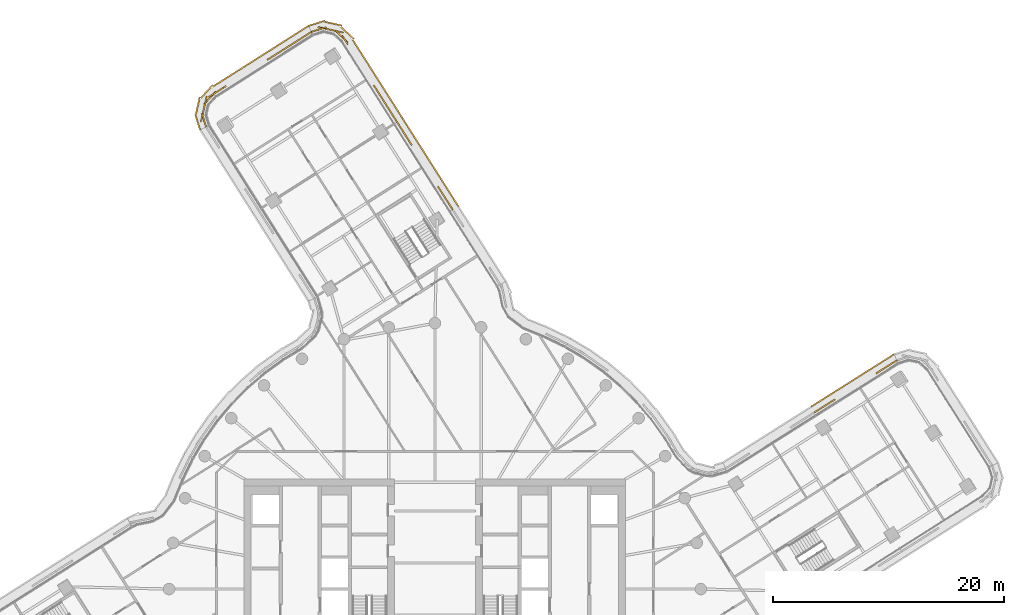
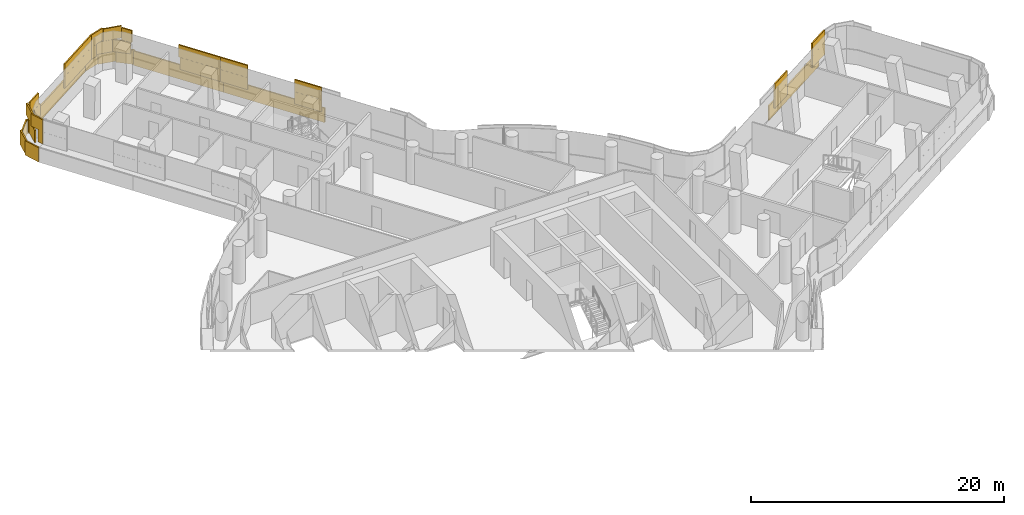
# One storey, part 36 of 36: 4 coverings.
"""IFC4 building model written with IfcOpenShell, lengths in metres."""

from ifc_helpers import new_model, si_unit, direction, frame, origin, origin_2d, place, context, subcontext, project, spatial, rectangle, extrude, material, layer, layer_set, type_object, element, save


model = new_model("IFC4")

# Units and contexts
model_context = context("Model", 3, precision=1e-05, world=origin(), true_north=direction((0.0, 1.0)))
body_context = subcontext(model_context, "Body", "Model", "MODEL_VIEW")
ifc_project = project(units=[si_unit("LENGTHUNIT", "METRE"), si_unit("AREAUNIT", "SQUARE_METRE"), si_unit("VOLUMEUNIT", "CUBIC_METRE"), si_unit("PLANEANGLEUNIT", "RADIAN"), si_unit("MASSUNIT", "GRAM", prefix="KILO")], contexts=[model_context])

# Site, building, storey
site_placement = place(None, origin())
site = spatial("IfcSite", under=ifc_project, at=site_placement, CompositionType="ELEMENT")
building_placement = place(site_placement, origin())
building = spatial("IfcBuilding", under=site, at=building_placement, Name="Tamarind Cross Interchange Tower", CompositionType="ELEMENT")
storey_placement = place(building_placement, frame((0.0, 0.0, 151.75)))
storey = spatial("IfcBuildingStorey", under=building, at=storey_placement, Name="L37", CompositionType="ELEMENT", Elevation=151.75)

# Coverings
ifc_material = material(Name="Terracotta", Category="masonry")
ifc_layer = layer(ifc_material, 0.1201171875)
ifc_layer_set = layer_set([ifc_layer], Name="Terracotta")
covering_type = type_object("IfcCoveringType", Name="Terracotta baguette screen unit", PredefinedType="MOLDING", material=ifc_layer_set)
covering_1_placement = place(storey_placement, origin())
element("IfcCovering", 1, at=covering_1_placement, inside=storey, type_object=covering_type, Name="SCR-L37-00-00", PredefinedType="MOLDING", context=body_context, shape_type="SweptSolid", body=[
    extrude(rectangle(XDim=0.760009765625, YDim=0.1201171875, at=origin_2d()), frame((-11.00244140625, 48.0009765625, 1.404052734375), z_axis=(0.0, 0.0, 1.0), x_axis=(-0.844432651118, -0.535661738157, 0.0)), (0.0, 0.0, 1.0), 1.1669921875),
    extrude(rectangle(XDim=1.52001953125, YDim=0.1201171875, at=origin_2d()), frame((-11.952392578125, 47.3984375, 1.404052734375), z_axis=(0.0, 0.0, 1.0), x_axis=(-0.844432651118, -0.535661738157, 0.0)), (0.0, 0.0, 1.0), 1.1669921875),
    extrude(rectangle(XDim=1.52001953125, YDim=0.1201171875, at=origin_2d()), frame((-13.21923828125, 46.594970703125, 1.404052734375), z_axis=(0.0, 0.0, 1.0), x_axis=(-0.844432651118, -0.535661738157, 0.0)), (0.0, 0.0, 1.0), 1.1669921875),
    extrude(rectangle(XDim=0.784912109375, YDim=0.1201171875, at=origin_2d()), frame((-14.1796875, 45.985595703125, 1.404052734375), z_axis=(0.0, 0.0, 1.0), x_axis=(-0.844432651118, -0.535661738157, 0.0)), (0.0, 0.0, 1.0), 1.1669921875),
    extrude(rectangle(XDim=1.03515625, YDim=0.1201171875, at=origin_2d()), frame((-18.486328125, 43.253662109375, 1.404052734375), z_axis=(0.0, 0.0, 1.0), x_axis=(-0.844432651118, -0.535661738157, 0.0)), (0.0, 0.0, 1.0), 1.1669921875),
    extrude(rectangle(XDim=1.52001953125, YDim=0.1201171875, at=origin_2d()), frame((-19.47265625, 42.48193359375, 1.404052734375), z_axis=(0.0, 0.0, 1.0), x_axis=(-0.677019846709, -0.735964759457, 0.0)), (0.0, 0.0, 1.0), 1.1669921875),
    extrude(rectangle(XDim=1.52001953125, YDim=0.1201171875, at=origin_2d()), frame((-20.072998046875, 41.160888671875, 1.404052734375), z_axis=(0.0, 0.0, 1.0), x_axis=(-0.218334006388, -0.975874101334, 0.0)), (0.0, 0.0, 1.0), 1.1669921875),
    extrude(rectangle(XDim=0.509521484375, YDim=0.1201171875, at=origin_2d()), frame((-19.866455078125, 40.202880859375, 1.404052734375), z_axis=(0.0, 0.0, 1.0), x_axis=(0.298854254625, -0.954298765844, 0.0)), (0.0, 0.0, 1.0), 1.1669921875),
    extrude(rectangle(XDim=1.510009765625, YDim=0.1201171875, at=origin_2d()), frame((-11.319091796875, 47.800048828125, 2.5791015625), z_axis=(0.0, 0.0, 1.0), x_axis=(-0.844432651118, -0.535661738157, 0.0)), (0.0, 0.0, 1.0), 1.1669921875),
    extrude(rectangle(XDim=1.52001953125, YDim=0.1201171875, at=origin_2d()), frame((-12.5859375, 46.99658203125, 2.5791015625), z_axis=(0.0, 0.0, 1.0), x_axis=(-0.844432651118, -0.535661738157, 0.0)), (0.0, 0.0, 1.0), 1.1669921875),
    extrude(rectangle(XDim=1.52001953125, YDim=0.1201171875, at=origin_2d()), frame((-13.8525390625, 46.193115234375, 2.5791015625), z_axis=(0.0, 0.0, 1.0), x_axis=(-0.844432651118, -0.535661738157, 0.0)), (0.0, 0.0, 1.0), 1.1669921875),
    extrude(rectangle(XDim=1.52001953125, YDim=0.1201171875, at=origin_2d()), frame((-18.919189453125, 42.979248046875, 2.5791015625), z_axis=(0.0, 0.0, 1.0), x_axis=(-0.844432651118, -0.535661738157, 0.0)), (0.0, 0.0, 1.0), 1.1669921875),
    extrude(rectangle(XDim=1.52001953125, YDim=0.1201171875, at=origin_2d()), frame((-19.909423828125, 41.892822265625, 2.5791015625), z_axis=(0.0, 0.0, 1.0), x_axis=(-0.218334006388, -0.975874101334, 0.0)), (0.0, 0.0, 1.0), 1.1669921875),
    extrude(rectangle(XDim=1.259521484375, YDim=0.1201171875, at=origin_2d()), frame((-19.978515625, 40.560791015625, 2.5791015625), z_axis=(0.0, 0.0, 1.0), x_axis=(0.298854254625, -0.954298765844, 0.0)), (0.0, 0.0, 1.0), 1.1669921875),
    extrude(rectangle(XDim=0.760009765625, YDim=0.1201171875, at=origin_2d()), frame((-11.25048828125, 48.5234375, 0.00390625), z_axis=(0.0, 0.0, 1.0), x_axis=(-0.844432651118, -0.535661738157, 0.0)), (0.0, 0.0, 1.0), 1.39208984375),
    extrude(rectangle(XDim=1.52001953125, YDim=0.1201171875, at=origin_2d()), frame((-12.1962890625, 47.923583984375, 0.00390625), z_axis=(0.0, 0.0, 1.0), x_axis=(-0.844432651118, -0.535661738157, 0.0)), (0.0, 0.0, 1.0), 1.39208984375),
    extrude(rectangle(XDim=1.52001953125, YDim=0.1201171875, at=origin_2d()), frame((-13.462890625, 47.1201171875, 0.00390625), z_axis=(0.0, 0.0, 1.0), x_axis=(-0.844432651118, -0.535661738157, 0.0)), (0.0, 0.0, 1.0), 1.39208984375),
    extrude(rectangle(XDim=1.52001953125, YDim=0.1201171875, at=origin_2d()), frame((-14.7294921875, 46.316650390625, 0.00390625), z_axis=(0.0, 0.0, 1.0), x_axis=(-0.844432651118, -0.535661738157, 0.0)), (0.0, 0.0, 1.0), 1.39208984375),
    extrude(rectangle(XDim=1.52001953125, YDim=0.1201171875, at=origin_2d()), frame((-15.99609375, 45.51318359375, 0.00390625), z_axis=(0.0, 0.0, 1.0), x_axis=(-0.844432651118, -0.535661738157, 0.0)), (0.0, 0.0, 1.0), 1.39208984375),
    extrude(rectangle(XDim=1.52001953125, YDim=0.1201171875, at=origin_2d()), frame((-17.2626953125, 44.709716796875, 0.00390625), z_axis=(0.0, 0.0, 1.0), x_axis=(-0.844432651118, -0.535661738157, 0.0)), (0.0, 0.0, 1.0), 1.39208984375),
    extrude(rectangle(XDim=1.52001953125, YDim=0.1201171875, at=origin_2d()), frame((-18.529296875, 43.906005859375, 0.00390625), z_axis=(0.0, 0.0, 1.0), x_axis=(-0.844432651118, -0.535661738157, 0.0)), (0.0, 0.0, 1.0), 1.39208984375),
    extrude(rectangle(XDim=1.52001953125, YDim=0.1201171875, at=origin_2d()), frame((-19.74169921875, 43.03759765625, 0.00390625), z_axis=(0.0, 0.0, 1.0), x_axis=(-0.677019846709, -0.735964759457, 0.0)), (0.0, 0.0, 1.0), 1.39208984375),
    extrude(rectangle(XDim=1.52001953125, YDim=0.1201171875, at=origin_2d()), frame((-20.5166015625, 41.8076171875, 0.00390625), z_axis=(0.0, 0.0, 1.0), x_axis=(-0.218334006388, -0.975874101334, 0.0)), (0.0, 0.0, 1.0), 1.39208984375),
    extrude(rectangle(XDim=1.426513671875, YDim=0.1201171875, at=origin_2d()), frame((-20.530517578125, 40.402099609375, 0.00390625), z_axis=(0.0, 0.0, 1.0), x_axis=(0.298854254625, -0.954298765844, 0.0)), (0.0, 0.0, 1.0), 1.39208984375),
])
covering_2_placement = place(storey_placement, origin())
element("IfcCovering", 2, at=covering_2_placement, inside=storey, type_object=covering_type, Name="SCR-L37-13-00", PredefinedType="MOLDING", context=body_context, shape_type="SweptSolid", body=[
    extrude(rectangle(XDim=0.760009765625, YDim=0.1201171875, at=origin_2d()), frame((39.6474609375, 19.591796875, 1.404052734375), z_axis=(0.0, 0.0, 1.0), x_axis=(-0.845559868241, -0.533880613265, 0.0)), (0.0, 0.0, 1.0), 1.1669921875),
    extrude(rectangle(XDim=1.3896484375, YDim=0.1201171875, at=origin_2d()), frame((38.7470703125, 19.023193359375, 1.404052734375), z_axis=(0.0, 0.0, 1.0), x_axis=(-0.845559868241, -0.533880613265, 0.0)), (0.0, 0.0, 1.0), 1.1669921875),
    extrude(rectangle(XDim=0.43017578125, YDim=0.1201171875, at=origin_2d()), frame((34.434814453125, 16.30029296875, 1.404052734375), z_axis=(0.0, 0.0, 1.0), x_axis=(-0.845559868241, -0.533880613265, 0.0)), (0.0, 0.0, 1.0), 1.1669921875),
    extrude(rectangle(XDim=1.52001953125, YDim=0.1201171875, at=origin_2d()), frame((33.622802734375, 15.787841796875, 1.404052734375), z_axis=(0.0, 0.0, 1.0), x_axis=(-0.845559868241, -0.533880613265, 0.0)), (0.0, 0.0, 1.0), 1.1669921875),
    extrude(rectangle(XDim=0.219482421875, YDim=0.1201171875, at=origin_2d()), frame((32.900146484375, 15.33154296875, 1.404052734375), z_axis=(0.0, 0.0, 1.0), x_axis=(-0.845559868241, -0.533880613265, 0.0)), (0.0, 0.0, 1.0), 1.1669921875),
    extrude(rectangle(XDim=1.510009765625, YDim=0.1201171875, at=origin_2d()), frame((39.330322265625, 19.3916015625, 2.5791015625), z_axis=(0.0, 0.0, 1.0), x_axis=(-0.845559868241, -0.533880613265, 0.0)), (0.0, 0.0, 1.0), 1.1669921875),
    extrude(rectangle(XDim=0.6396484375, YDim=0.1201171875, at=origin_2d()), frame((38.429931640625, 18.822998046875, 2.5791015625), z_axis=(0.0, 0.0, 1.0), x_axis=(-0.845559868241, -0.533880613265, 0.0)), (0.0, 0.0, 1.0), 1.1669921875),
    extrude(rectangle(XDim=1.18017578125, YDim=0.1201171875, at=origin_2d()), frame((34.11767578125, 16.10009765625, 2.5791015625), z_axis=(0.0, 0.0, 1.0), x_axis=(-0.845559868241, -0.533880613265, 0.0)), (0.0, 0.0, 1.0), 1.1669921875),
    extrude(rectangle(XDim=0.969482421875, YDim=0.1201171875, at=origin_2d()), frame((33.21728515625, 15.53173828125, 2.5791015625), z_axis=(0.0, 0.0, 1.0), x_axis=(-0.845559868241, -0.533880613265, 0.0)), (0.0, 0.0, 1.0), 1.1669921875),
    extrude(rectangle(XDim=0.760009765625, YDim=0.1201171875, at=origin_2d()), frame((39.400146484375, 20.114501953125, 0.00390625), z_axis=(0.0, 0.0, 1.0), x_axis=(-0.845559868241, -0.533880613265, 0.0)), (0.0, 0.0, 1.0), 1.39208984375),
    extrude(rectangle(XDim=1.52001953125, YDim=0.1201171875, at=origin_2d()), frame((38.453125, 19.516357421875, 0.00390625), z_axis=(0.0, 0.0, 1.0), x_axis=(-0.845559868241, -0.533880613265, 0.0)), (0.0, 0.0, 1.0), 1.39208984375),
    extrude(rectangle(XDim=1.52001953125, YDim=0.1201171875, at=origin_2d()), frame((37.184814453125, 18.715576171875, 0.00390625), z_axis=(0.0, 0.0, 1.0), x_axis=(-0.845559868241, -0.533880613265, 0.0)), (0.0, 0.0, 1.0), 1.39208984375),
    extrude(rectangle(XDim=1.52001953125, YDim=0.1201171875, at=origin_2d()), frame((35.91650390625, 17.914794921875, 0.00390625), z_axis=(0.0, 0.0, 1.0), x_axis=(-0.845559868241, -0.533880613265, 0.0)), (0.0, 0.0, 1.0), 1.39208984375),
    extrude(rectangle(XDim=1.52001953125, YDim=0.1201171875, at=origin_2d()), frame((34.648193359375, 17.114013671875, 0.00390625), z_axis=(0.0, 0.0, 1.0), x_axis=(-0.845559868241, -0.533880613265, 0.0)), (0.0, 0.0, 1.0), 1.39208984375),
    extrude(rectangle(XDim=1.52001953125, YDim=0.1201171875, at=origin_2d()), frame((33.3798828125, 16.313232421875, 0.00390625), z_axis=(0.0, 0.0, 1.0), x_axis=(-0.845559868241, -0.533880613265, 0.0)), (0.0, 0.0, 1.0), 1.39208984375),
    extrude(rectangle(XDim=0.2177734375, YDim=0.1201171875, at=origin_2d()), frame((32.662109375, 15.85986328125, 0.00390625), z_axis=(0.0, 0.0, 1.0), x_axis=(-0.845559868241, -0.533880613265, 0.0)), (0.0, 0.0, 1.0), 1.39208984375),
])
covering_3_placement = place(storey_placement, origin())
element("IfcCovering", 3, at=covering_3_placement, inside=storey, type_object=covering_type, Name="SCR-L37-15-01", PredefinedType="MOLDING", context=body_context, shape_type="SweptSolid", body=[
    extrude(rectangle(XDim=0.61279296875, YDim=0.1201171875, at=origin_2d()), frame((1.3798828125, 33.060791015625, 1.404052734375), z_axis=(0.0, 0.0, 1.0), x_axis=(-0.535661738157, 0.844432651118, 0.0)), (0.0, 0.0, 1.0), 1.1669921875),
    extrude(rectangle(XDim=1.52001953125, YDim=0.1201171875, at=origin_2d()), frame((0.816650390625, 33.94873046875, 1.404052734375), z_axis=(0.0, 0.0, 1.0), x_axis=(-0.535661738157, 0.844432651118, 0.0)), (0.0, 0.0, 1.0), 1.1669921875),
    extrude(rectangle(XDim=0.310302734375, YDim=0.1201171875, at=origin_2d()), frame((0.33447265625, 34.708740234375, 1.404052734375), z_axis=(0.0, 0.0, 1.0), x_axis=(-0.535661738157, 0.844432651118, 0.0)), (0.0, 0.0, 1.0), 1.1669921875),
    extrude(rectangle(XDim=1.509765625, YDim=0.1201171875, at=origin_2d()), frame((-2.3974609375, 39.015380859375, 1.404052734375), z_axis=(0.0, 0.0, 1.0), x_axis=(-0.535661738157, 0.844432651118, 0.0)), (0.0, 0.0, 1.0), 1.1669921875),
    extrude(rectangle(XDim=0.91357421875, YDim=0.1201171875, at=origin_2d()), frame((-3.041015625, 40.030029296875, 1.404052734375), z_axis=(0.0, 0.0, 1.0), x_axis=(-0.535661738157, 0.844432651118, 0.0)), (0.0, 0.0, 1.0), 1.1669921875),
    extrude(rectangle(XDim=1.36279296875, YDim=0.1201171875, at=origin_2d()), frame((1.178955078125, 33.37744140625, 2.5791015625), z_axis=(0.0, 0.0, 1.0), x_axis=(-0.535661738157, 0.844432651118, 0.0)), (0.0, 0.0, 1.0), 1.1669921875),
    extrude(rectangle(XDim=1.060302734375, YDim=0.1201171875, at=origin_2d()), frame((0.535400390625, 34.39208984375, 2.5791015625), z_axis=(0.0, 0.0, 1.0), x_axis=(-0.535661738157, 0.844432651118, 0.0)), (0.0, 0.0, 1.0), 1.1669921875),
    extrude(rectangle(XDim=0.759765625, YDim=0.1201171875, at=origin_2d()), frame((-2.196533203125, 38.69873046875, 2.5791015625), z_axis=(0.0, 0.0, 1.0), x_axis=(-0.535661738157, 0.844432651118, 0.0)), (0.0, 0.0, 1.0), 1.1669921875),
    extrude(rectangle(XDim=1.52001953125, YDim=0.1201171875, at=origin_2d()), frame((-2.799072265625, 39.6484375, 2.5791015625), z_axis=(0.0, 0.0, 1.0), x_axis=(-0.535661738157, 0.844432651118, 0.0)), (0.0, 0.0, 1.0), 1.1669921875),
    extrude(rectangle(XDim=0.16357421875, YDim=0.1201171875, at=origin_2d()), frame((-3.241943359375, 40.3466796875, 2.5791015625), z_axis=(0.0, 0.0, 1.0), x_axis=(-0.535661738157, 0.844432651118, 0.0)), (0.0, 0.0, 1.0), 1.1669921875),
    extrude(rectangle(XDim=0.578369140625, YDim=0.1201171875, at=origin_2d()), frame((1.872802734375, 33.355224609375, 0.00390625), z_axis=(0.0, 0.0, 1.0), x_axis=(-0.535661738157, 0.844432651118, 0.0)), (0.0, 0.0, 1.0), 1.39208984375),
    extrude(rectangle(XDim=1.52001953125, YDim=0.1201171875, at=origin_2d()), frame((1.321533203125, 34.224365234375, 0.00390625), z_axis=(0.0, 0.0, 1.0), x_axis=(-0.535661738157, 0.844432651118, 0.0)), (0.0, 0.0, 1.0), 1.39208984375),
    extrude(rectangle(XDim=1.52001953125, YDim=0.1201171875, at=origin_2d()), frame((0.51806640625, 35.490966796875, 0.00390625), z_axis=(0.0, 0.0, 1.0), x_axis=(-0.535661738157, 0.844432651118, 0.0)), (0.0, 0.0, 1.0), 1.39208984375),
    extrude(rectangle(XDim=1.52001953125, YDim=0.1201171875, at=origin_2d()), frame((-0.285400390625, 36.757568359375, 0.00390625), z_axis=(0.0, 0.0, 1.0), x_axis=(-0.535661738157, 0.844432651118, 0.0)), (0.0, 0.0, 1.0), 1.39208984375),
    extrude(rectangle(XDim=1.52001953125, YDim=0.1201171875, at=origin_2d()), frame((-1.089111328125, 38.024169921875, 0.00390625), z_axis=(0.0, 0.0, 1.0), x_axis=(-0.535661738157, 0.844432651118, 0.0)), (0.0, 0.0, 1.0), 1.39208984375),
    extrude(rectangle(XDim=1.52001953125, YDim=0.1201171875, at=origin_2d()), frame((-1.892578125, 39.291015625, 0.00390625), z_axis=(0.0, 0.0, 1.0), x_axis=(-0.535661738157, 0.844432651118, 0.0)), (0.0, 0.0, 1.0), 1.39208984375),
    extrude(rectangle(XDim=0.988525390625, YDim=0.1201171875, at=origin_2d()), frame((-2.5537109375, 40.333251953125, 0.00390625), z_axis=(0.0, 0.0, 1.0), x_axis=(-0.535661738157, 0.844432651118, 0.0)), (0.0, 0.0, 1.0), 1.39208984375),
])
covering_4_placement = place(storey_placement, origin())
element("IfcCovering", 4, at=covering_4_placement, inside=storey, type_object=covering_type, Name="SCR-L37-15-02", PredefinedType="MOLDING", context=body_context, shape_type="SweptSolid", body=[
    extrude(rectangle(XDim=0.6064453125, YDim=0.1201171875, at=origin_2d()), frame((-3.44287109375, 40.663330078125, 1.404052734375), z_axis=(0.0, 0.0, 1.0), x_axis=(-0.535661738157, 0.844432651118, 0.0)), (0.0, 0.0, 1.0), 1.1669921875),
    extrude(rectangle(XDim=1.52001953125, YDim=0.1201171875, at=origin_2d()), frame((-4.00439453125, 41.548583984375, 1.404052734375), z_axis=(0.0, 0.0, 1.0), x_axis=(-0.535661738157, 0.844432651118, 0.0)), (0.0, 0.0, 1.0), 1.1669921875),
    extrude(rectangle(XDim=1.52001953125, YDim=0.1201171875, at=origin_2d()), frame((-4.807861328125, 42.815185546875, 1.404052734375), z_axis=(0.0, 0.0, 1.0), x_axis=(-0.535661738157, 0.844432651118, 0.0)), (0.0, 0.0, 1.0), 1.1669921875),
    extrude(rectangle(XDim=1.52001953125, YDim=0.1201171875, at=origin_2d()), frame((-8.09814453125, 47.818115234375, 1.404052734375), z_axis=(0.0, 0.0, 1.0), x_axis=(-0.735964759457, 0.677019846709, 0.0)), (0.0, 0.0, 1.0), 1.1669921875),
    extrude(rectangle(XDim=1.52001953125, YDim=0.1201171875, at=origin_2d()), frame((-9.396240234375, 48.462158203125, 1.404052734375), z_axis=(0.0, 0.0, 1.0), x_axis=(-0.975874101334, 0.218334006388, 0.0)), (0.0, 0.0, 1.0), 1.1669921875),
    extrude(rectangle(XDim=0.605224609375, YDim=0.1201171875, at=origin_2d()), frame((-10.40185546875, 48.290771484375, 1.404052734375), z_axis=(0.0, 0.0, 1.0), x_axis=(-0.954298765844, -0.298854254625, 0.0)), (0.0, 0.0, 1.0), 1.1669921875),
    extrude(rectangle(XDim=1.3564453125, YDim=0.1201171875, at=origin_2d()), frame((-3.643798828125, 40.97998046875, 2.5791015625), z_axis=(0.0, 0.0, 1.0), x_axis=(-0.535661738157, 0.844432651118, 0.0)), (0.0, 0.0, 1.0), 1.1669921875),
    extrude(rectangle(XDim=1.52001953125, YDim=0.1201171875, at=origin_2d()), frame((-4.406005859375, 42.181884765625, 2.5791015625), z_axis=(0.0, 0.0, 1.0), x_axis=(-0.535661738157, 0.844432651118, 0.0)), (0.0, 0.0, 1.0), 1.1669921875),
    extrude(rectangle(XDim=0.909423828125, YDim=0.1201171875, at=origin_2d()), frame((-5.048583984375, 43.19482421875, 2.5791015625), z_axis=(0.0, 0.0, 1.0), x_axis=(-0.535661738157, 0.844432651118, 0.0)), (0.0, 0.0, 1.0), 1.1669921875),
    extrude(rectangle(XDim=0.91064453125, YDim=0.1201171875, at=origin_2d()), frame((-7.780517578125, 47.50146484375, 2.5791015625), z_axis=(0.0, 0.0, 1.0), x_axis=(-0.535661738157, 0.844432651118, 0.0)), (0.0, 0.0, 1.0), 1.1669921875),
    extrude(rectangle(XDim=1.52001953125, YDim=0.1201171875, at=origin_2d()), frame((-8.664306640625, 48.29833984375, 2.5791015625), z_axis=(0.0, 0.0, 1.0), x_axis=(-0.975874101334, 0.218334006388, 0.0)), (0.0, 0.0, 1.0), 1.1669921875),
    extrude(rectangle(XDim=1.355224609375, YDim=0.1201171875, at=origin_2d()), frame((-10.0439453125, 48.40283203125, 2.5791015625), z_axis=(0.0, 0.0, 1.0), x_axis=(-0.954298765844, -0.298854254625, 0.0)), (0.0, 0.0, 1.0), 1.1669921875),
    extrude(rectangle(XDim=0.531494140625, YDim=0.1201171875, at=origin_2d()), frame((-2.960693359375, 40.974853515625, 0.00390625), z_axis=(0.0, 0.0, 1.0), x_axis=(-0.535661738157, 0.844432651118, 0.0)), (0.0, 0.0, 1.0), 1.39208984375),
    extrude(rectangle(XDim=1.52001953125, YDim=0.1201171875, at=origin_2d()), frame((-3.49951171875, 41.82421875, 0.00390625), z_axis=(0.0, 0.0, 1.0), x_axis=(-0.535661738157, 0.844432651118, 0.0)), (0.0, 0.0, 1.0), 1.39208984375),
    extrude(rectangle(XDim=1.52001953125, YDim=0.1201171875, at=origin_2d()), frame((-4.302978515625, 43.0908203125, 0.00390625), z_axis=(0.0, 0.0, 1.0), x_axis=(-0.535661738157, 0.844432651118, 0.0)), (0.0, 0.0, 1.0), 1.39208984375),
    extrude(rectangle(XDim=1.52001953125, YDim=0.1201171875, at=origin_2d()), frame((-5.1064453125, 44.357421875, 0.00390625), z_axis=(0.0, 0.0, 1.0), x_axis=(-0.535661738157, 0.844432651118, 0.0)), (0.0, 0.0, 1.0), 1.39208984375),
    extrude(rectangle(XDim=1.52001953125, YDim=0.1201171875, at=origin_2d()), frame((-5.909912109375, 45.624267578125, 0.00390625), z_axis=(0.0, 0.0, 1.0), x_axis=(-0.535661738157, 0.844432651118, 0.0)), (0.0, 0.0, 1.0), 1.39208984375),
    extrude(rectangle(XDim=1.52001953125, YDim=0.1201171875, at=origin_2d()), frame((-6.71337890625, 46.890869140625, 0.00390625), z_axis=(0.0, 0.0, 1.0), x_axis=(-0.535661738157, 0.844432651118, 0.0)), (0.0, 0.0, 1.0), 1.39208984375),
    extrude(rectangle(XDim=1.52001953125, YDim=0.1201171875, at=origin_2d()), frame((-7.570556640625, 48.112548828125, 0.00390625), z_axis=(0.0, 0.0, 1.0), x_axis=(-0.735964759457, 0.677019846709, 0.0)), (0.0, 0.0, 1.0), 1.39208984375),
    extrude(rectangle(XDim=1.52001953125, YDim=0.1201171875, at=origin_2d()), frame((-8.78662109375, 48.9140625, 0.00390625), z_axis=(0.0, 0.0, 1.0), x_axis=(-0.975874101334, 0.218334006388, 0.0)), (0.0, 0.0, 1.0), 1.39208984375),
    extrude(rectangle(XDim=1.484619140625, YDim=0.1201171875, at=origin_2d()), frame((-10.22119140625, 48.948974609375, 0.00390625), z_axis=(0.0, 0.0, 1.0), x_axis=(-0.954298765844, -0.298854254625, 0.0)), (0.0, 0.0, 1.0), 1.39208984375),
])

save(model, "model.ifc")
